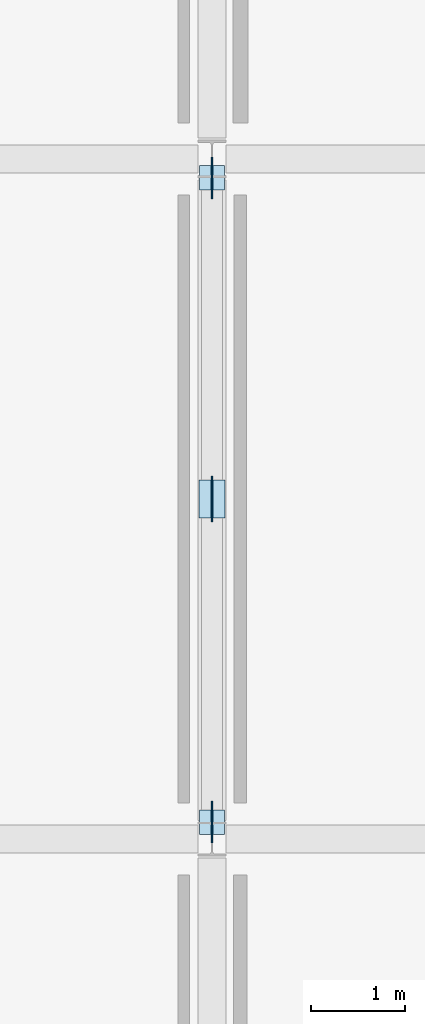
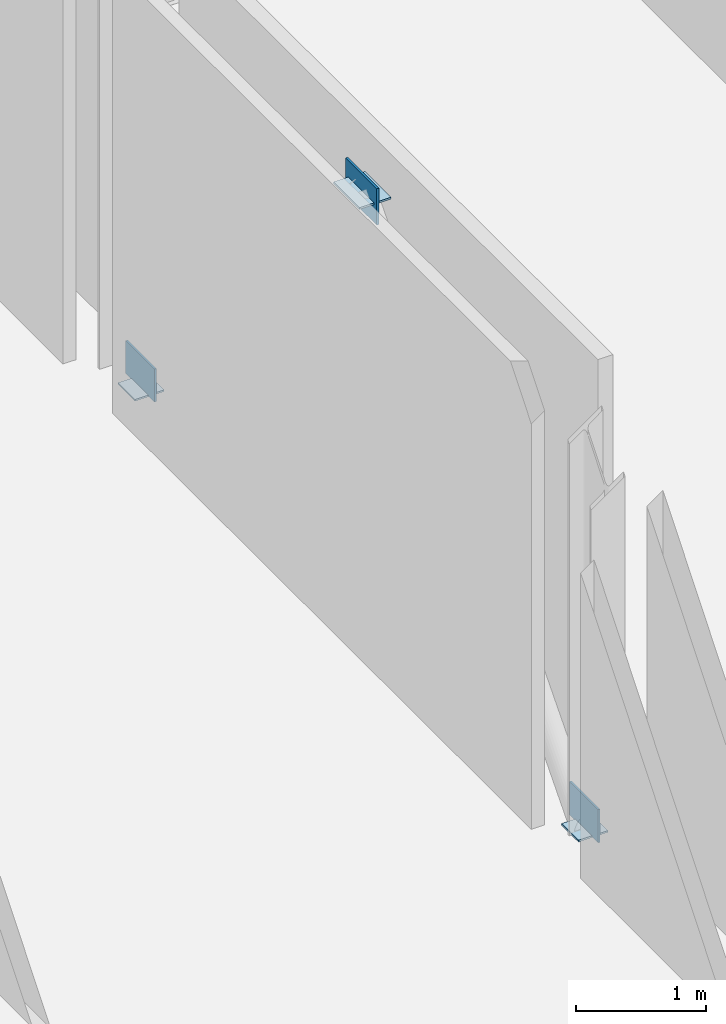
# One storey, part 49 of 72: 6 plates.
"""IFC4 building model written with IfcOpenShell, lengths in metres."""

from ifc_helpers import new_model, si_unit, direction, frame, origin, origin_2d, place, context, subcontext, project, spatial, rectangle, extrude, material, layer, layer_set, type_object, element, save


model = new_model("IFC4")

# Units and contexts
model_context = context("Model", 3, precision=1e-05, world=origin(), true_north=direction((0.0, 1.0)))
body_context = subcontext(model_context, "Body", "Model", "MODEL_VIEW")
ifc_project = project(units=[si_unit("LENGTHUNIT", "METRE"), si_unit("AREAUNIT", "SQUARE_METRE"), si_unit("VOLUMEUNIT", "CUBIC_METRE"), si_unit("PLANEANGLEUNIT", "RADIAN"), si_unit("MASSUNIT", "GRAM", prefix="KILO")], contexts=[model_context])

# Site, building, storey
site_placement = place(None, origin())
site = spatial("IfcSite", under=ifc_project, at=site_placement, CompositionType="ELEMENT")
building_placement = place(site_placement, origin())
building = spatial("IfcBuilding", under=site, at=building_placement, Name="Zarrinpeak Specialist Clinic", CompositionType="ELEMENT")
storey_placement = place(building_placement, frame((0.0, 0.0, 9.60009765625)))
storey = spatial("IfcBuildingStorey", under=building, at=storey_placement, Name="L02", CompositionType="ELEMENT", Elevation=9.60009765625)

# Plates
ifc_material = material(Name="Steel S355", Category="steel")
ifc_layer_1 = layer(ifc_material, 0.01611328125)
ifc_layer_set_1 = layer_set([ifc_layer_1], Name="Steel S355")
plate_type_1 = type_object("IfcPlateType", Name="PL-CAP219", PredefinedType="SHEET", material=ifc_layer_set_1)
for number, where, z_axis, x_axis, name in (
    (1, (50.39990234375, 89.3798828125, 0.000732421875), (0.0, 0.0, 1.0), (1.0, 0.0, 0.0), "V6 L02 Hollow Brace Foot Cap Plate A"),
    (2, (50.39990234375, 96.199951171875, 0.000732421875), (0.0, 0.0, 1.0), (1.0, 0.0, 0.0), "V6 L02 Hollow Brace Foot Cap Plate B"),
):
    element("IfcPlate", number, at=place(storey_placement, frame(where, z_axis=z_axis, x_axis=x_axis)), inside=storey, type_object=plate_type_1, Name=name, PredefinedType="SHEET", context=body_context, shape_type="SweptSolid", body=[
        extrude(rectangle(XDim=0.260009765625, YDim=0.260009765625, at=origin_2d()), origin(), (0.0, 0.0, 1.0), 0.01611328125),
    ])
ifc_layer_2 = layer(ifc_material, 0.02001953125)
ifc_layer_set_2 = layer_set([ifc_layer_2], Name="Steel S355")
plate_type_2 = type_object("IfcPlateType", Name="PL-GN01", PredefinedType="SHEET", material=ifc_layer_set_2)
plate_1_placement = place(storey_placement, frame((50.39990234375, 92.800048828125, 3.73974609375), z_axis=(0.0, 0.0, 1.0), x_axis=(1.0, 0.0, 0.0)))
element("IfcPlate", 3, at=plate_1_placement, inside=storey, type_object=plate_type_2, Name="V6 L02 Chevron Gusset Node Plate GN-V6-L02", PredefinedType="SHEET", context=body_context, shape_type="SweptSolid", body=[
    extrude(rectangle(XDim=0.02001953125, YDim=0.47998046875, at=origin_2d()), origin(), (0.0, 0.0, 1.0), 0.340087890625),
])
ifc_layer_3 = layer(ifc_material, 0.01611328125)
ifc_layer_set_3 = layer_set([ifc_layer_3], Name="Steel S355")
plate_type_3 = type_object("IfcPlateType", Name="PL-GN02", PredefinedType="SHEET", material=ifc_layer_set_3)
plate_2_placement = place(storey_placement, frame((50.39990234375, 92.800048828125, 3.907958984375), z_axis=(0.0, 0.0, 1.0), x_axis=(1.0, 0.0, 0.0)))
element("IfcPlate", 4, at=plate_2_placement, inside=storey, type_object=plate_type_3, Name="V6 L02 Chevron Apex Seal Plate GNCAP-V6-L02", PredefinedType="SHEET", context=body_context, shape_type="SweptSolid", body=[
    extrude(rectangle(XDim=0.280029296875, YDim=0.39990234375, at=origin_2d()), origin(), (0.0, 0.0, 1.0), 0.01611328125),
])
ifc_layer_4 = layer(ifc_material, 0.01806640625)
ifc_layer_set_4 = layer_set([ifc_layer_4], Name="Steel S355")
plate_type_4 = type_object("IfcPlateType", Name="PL-GN03", PredefinedType="SHEET", material=ifc_layer_set_4)
for number, where, z_axis, x_axis, name in (
    (5, (50.39990234375, 89.3798828125, 0.0048828125), (0.0, 0.0, 1.0), (1.0, 0.0, 0.0), "V6 L02 Brace Foot Gusset Plate GNF-V6-L02-A"),
    (6, (50.39990234375, 96.199951171875, 0.0048828125), (0.0, 0.0, 1.0), (1.0, 0.0, 0.0), "V6 L02 Brace Foot Gusset Plate GNF-V6-L02-B"),
):
    element("IfcPlate", number, at=place(storey_placement, frame(where, z_axis=z_axis, x_axis=x_axis)), inside=storey, type_object=plate_type_4, Name=name, PredefinedType="SHEET", context=body_context, shape_type="SweptSolid", body=[
        extrude(rectangle(XDim=0.01806640625, YDim=0.43994140625, at=origin_2d()), origin(), (0.0, 0.0, 1.0), 0.31005859375),
    ])

save(model, "model.ifc")
